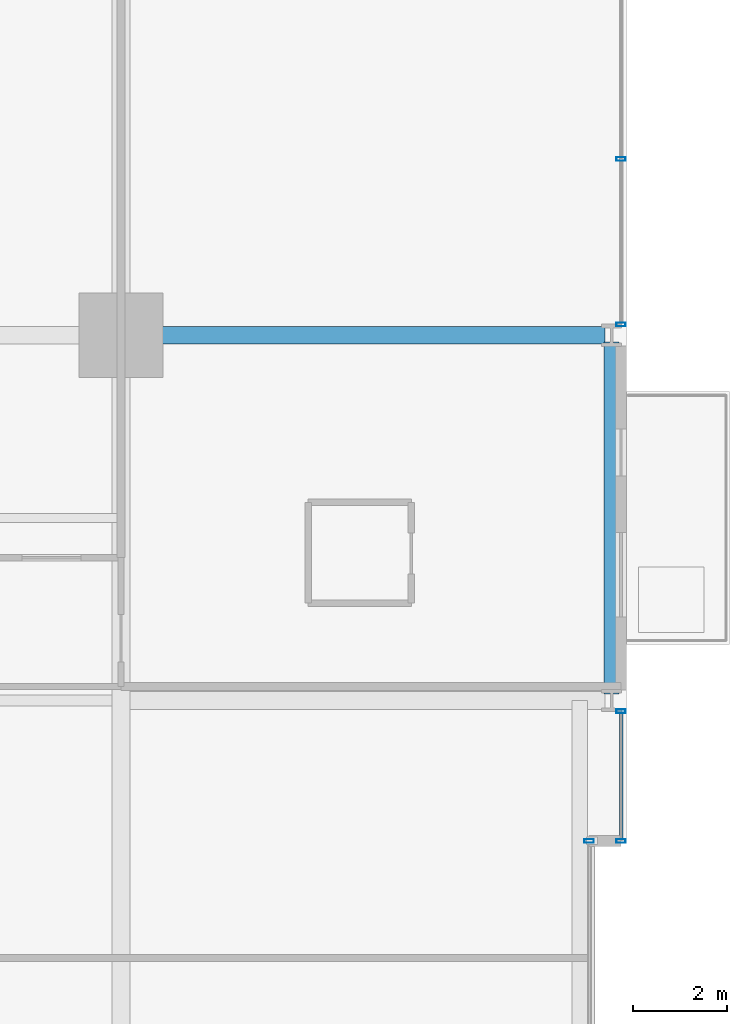
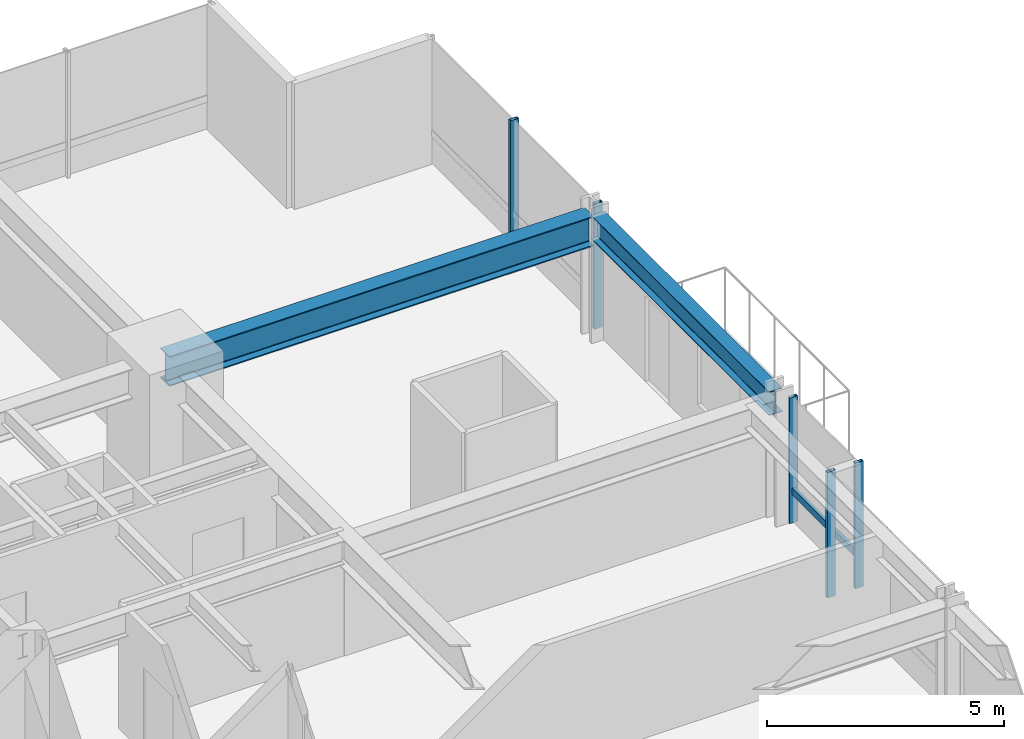
# One storey, part 25 of 38: 6 members, 2 beams, 3 elements without a shape of their own.
"""IFC4 building model written with IfcOpenShell, lengths in metres."""

from ifc_helpers import new_model, si_unit, direction, frame, origin, origin_2d, place, context, subcontext, project, spatial, hollow_rectangle, i_section, extrude, material, layer, layer_set, material_profile, profile_set, type_object, element, aggregate, save


model = new_model("IFC4")

# Units and contexts
model_context = context("Model", 3, precision=1e-05, world=origin(), true_north=direction((0.0, 1.0)))
body_context = subcontext(model_context, "Body", "Model", "MODEL_VIEW")
ifc_project = project(units=[si_unit("LENGTHUNIT", "METRE"), si_unit("AREAUNIT", "SQUARE_METRE"), si_unit("VOLUMEUNIT", "CUBIC_METRE"), si_unit("PLANEANGLEUNIT", "RADIAN"), si_unit("MASSUNIT", "GRAM", prefix="KILO")], contexts=[model_context])

# Site, building, storey
site_placement = place(None, origin())
site = spatial("IfcSite", under=ifc_project, at=site_placement, CompositionType="ELEMENT")
building_placement = place(site_placement, origin())
building = spatial("IfcBuilding", under=site, at=building_placement, Name="Drelvath Grand Hotel", CompositionType="ELEMENT")
storey_placement = place(building_placement, frame((0.0, 0.0, 71.699951171875)))
storey = spatial("IfcBuildingStorey", under=building, at=storey_placement, Name="L17", CompositionType="ELEMENT", Elevation=71.699951171875)

# Curtain wall, members
ifc_material_1 = material(Name="Warm Bronze Anodised Aluminium Frame", Category="aluminium")
ifc_layer = layer(ifc_material_1, 0.199951171875)
ifc_layer_set = layer_set([ifc_layer], Name="Warm Bronze Anodised Aluminium Frame")
curtain_wall_type = type_object("IfcCurtainWallType", Name="Stick Curtain Wall CW-02 Warm Bronze Low-Rise", PredefinedType="NOTDEFINED", material=ifc_layer_set)
curtain_wall_1_placement = place(storey_placement, origin())
curtain_wall_1 = element("IfcCurtainWall", 1, at=curtain_wall_1_placement, inside=storey, type_object=curtain_wall_type, Name="L17 CW-02 Curtain Wall CW02-L17-EN1", PredefinedType="NOTDEFINED")
ifc_material_profile_1 = material_profile(ifc_material_1, hollow_rectangle(XDim=0.074951171875, YDim=0.179931640625, WallThickness=0.0048828125, at=origin_2d()), Name="HSS180X75X5")
ifc_profile_set_1 = profile_set([ifc_material_profile_1], Name="Warm Bronze Anodised Aluminium Frame")
member_type_1 = type_object("IfcMemberType", Name="Curtain Wall Horizontal Transom CW-02 HSS180X75X5", PredefinedType="USERDEFINED", material=ifc_profile_set_1)
member_1_placement = place(storey_placement, frame((26.8798828125, 35.130859375, 0.81005859375), z_axis=(0.0, -1.0, 0.0), x_axis=(1.0, 0.0, 0.0)))
member_1 = element("IfcMember", 2, at=member_1_placement, type_object=member_type_1, Name="CW02-L17-EN1 Sill Transom", ObjectType="TRANSOM", PredefinedType="USERDEFINED", context=body_context, shape_type="SweptSolid", body=[
    extrude(hollow_rectangle(XDim=0.074951171875, YDim=0.179931640625, WallThickness=0.0048828125, at=origin_2d()), origin(), (0.0, 0.0, 1.0), 2.69091796875),
])
ifc_material_profile_2 = material_profile(ifc_material_1, hollow_rectangle(XDim=0.080078125, YDim=0.199951171875, WallThickness=0.0048828125, at=origin_2d()), Name="HSS200X80X5")
ifc_profile_set_2 = profile_set([ifc_material_profile_2], Name="Warm Bronze Anodised Aluminium Frame")
member_type_2 = type_object("IfcMemberType", Name="Curtain Wall Vertical Mullion CW-02 HSS200X80X5", PredefinedType="MULLION", material=ifc_profile_set_2)
member_2_placement = place(storey_placement, frame((26.8798828125, 35.1708984375, 0.0), z_axis=(0.0, 0.0, 1.0), x_axis=(0.0, 1.0, 0.0)))
member_2 = element("IfcMember", 3, at=member_2_placement, type_object=member_type_2, Name="CW02-L17-EN1 Mullion 1", PredefinedType="MULLION", context=body_context, shape_type="SweptSolid", body=[
    extrude(hollow_rectangle(XDim=0.080078125, YDim=0.199951171875, WallThickness=0.0048828125, at=origin_2d()), origin(), (0.0, 0.0, 1.0), 3.239990234375),
])
member_3_placement = place(storey_placement, frame((26.8798828125, 32.39990234375, 0.0), z_axis=(0.0, 0.0, 1.0), x_axis=(0.0, 1.0, 0.0)))
member_3 = element("IfcMember", 4, at=member_3_placement, type_object=member_type_2, Name="CW02-L17-EN1 Mullion 2", PredefinedType="MULLION", context=body_context, shape_type="SweptSolid", body=[
    extrude(hollow_rectangle(XDim=0.080078125, YDim=0.199951171875, WallThickness=0.0048828125, at=origin_2d()), origin(), (0.0, 0.0, 1.0), 3.239990234375),
])
aggregate(curtain_wall_1, [member_2, member_3, member_1])

curtain_wall_2_placement = place(storey_placement, origin())
curtain_wall_2 = element("IfcCurtainWall", 5, at=curtain_wall_2_placement, inside=storey, type_object=curtain_wall_type, Name="L17 CW-02 Curtain Wall CW02-L17-EN3", PredefinedType="NOTDEFINED")
member_4_placement = place(storey_placement, frame((26.8798828125, 46.964599609375, 0.0), z_axis=(0.0, 0.0, 1.0), x_axis=(0.0, 1.0, 0.0)))
member_4 = element("IfcMember", 6, at=member_4_placement, type_object=member_type_2, Name="CW02-L17-EN3 Mullion 2", PredefinedType="MULLION", context=body_context, shape_type="SweptSolid", body=[
    extrude(hollow_rectangle(XDim=0.080078125, YDim=0.199951171875, WallThickness=0.0048828125, at=origin_2d()), origin(), (0.0, 0.0, 1.0), 3.239990234375),
])
member_5_placement = place(storey_placement, frame((26.8798828125, 43.42919921875, 0.0), z_axis=(0.0, 0.0, 1.0), x_axis=(0.0, 1.0, 0.0)))
member_5 = element("IfcMember", 7, at=member_5_placement, type_object=member_type_2, Name="CW02-L17-EN3 Mullion 3", PredefinedType="MULLION", context=body_context, shape_type="SweptSolid", body=[
    extrude(hollow_rectangle(XDim=0.080078125, YDim=0.199951171875, WallThickness=0.0048828125, at=origin_2d()), origin(), (0.0, 0.0, 1.0), 3.239990234375),
])
aggregate(curtain_wall_2, [member_4, member_5])

# Curtain wall, member
curtain_wall_3_placement = place(storey_placement, origin())
curtain_wall_3 = element("IfcCurtainWall", 8, at=curtain_wall_3_placement, inside=storey, type_object=curtain_wall_type, Name="L17 CW-02 Curtain Wall CW02-L17-EM2", PredefinedType="NOTDEFINED")
member_6_placement = place(storey_placement, frame((26.199951171875, 32.39990234375, 0.0), z_axis=(0.0, 0.0, 1.0), x_axis=(0.0, 1.0, 0.0)))
member_6 = element("IfcMember", 9, at=member_6_placement, type_object=member_type_2, Name="CW02-L17-EM2 Mullion 1", PredefinedType="MULLION", context=body_context, shape_type="SweptSolid", body=[
    extrude(hollow_rectangle(XDim=0.080078125, YDim=0.199951171875, WallThickness=0.0048828125, at=origin_2d()), origin(), (0.0, 0.0, 1.0), 3.239990234375),
])
aggregate(curtain_wall_3, [member_6])

# Beams
ifc_material_2 = material(Name="Steel ASTM A992 Gr 50", Category="steel")
ifc_material_profile_3 = material_profile(ifc_material_2, i_section(OverallWidth=0.323974609375, OverallDepth=0.611083984375, WebThickness=0.0126953125, FlangeThickness=0.01904296875, FilletRadius=0.02197265625, at=origin_2d()), Name="W24X104")
ifc_profile_set_3 = profile_set([ifc_material_profile_3], Name="Steel ASTM A992 Gr 50")
beam_type_1 = type_object("IfcBeamType", Name="Perimeter Spandrel Beam W24X104", PredefinedType="SPANDREL", material=ifc_profile_set_3)
beam_1_placement = place(storey_placement, frame((26.679931640625, 35.5400390625, 2.9345703125), z_axis=(0.0, 1.0, 0.0), x_axis=(-1.0, 0.0, 0.0)))
element("IfcBeam", 10, at=beam_1_placement, inside=storey, type_object=beam_type_1, Name="L17 Spandrel East N", PredefinedType="SPANDREL", context=body_context, shape_type="SweptSolid", body=[
    extrude(i_section(OverallWidth=0.323974609375, OverallDepth=0.611083984375, WebThickness=0.0126953125, FlangeThickness=0.01904296875, FilletRadius=0.02197265625, at=origin_2d()), origin(), (0.0, 0.0, 1.0), 7.52001953125),
])
ifc_material_profile_4 = material_profile(ifc_material_2, i_section(OverallWidth=0.380615234375, OverallDepth=0.773193359375, WebThickness=0.0166015625, FlangeThickness=0.027099609375, FilletRadius=0.02490234375, at=origin_2d()), Name="W30X173")
ifc_profile_set_4 = profile_set([ifc_material_profile_4], Name="Steel ASTM A992 Gr 50")
beam_type_2 = type_object("IfcBeamType", Name="Primary Floor Girder W30X173", PredefinedType="BEAM", material=ifc_profile_set_4)
beam_2_placement = place(storey_placement, frame((16.199951171875, 43.199951171875, 2.853515625), z_axis=(1.0, 0.0, 0.0), x_axis=(0.0, 1.0, 0.0)))
element("IfcBeam", 11, at=beam_2_placement, inside=storey, type_object=beam_type_2, Name="L17 East Grid Girder G", PredefinedType="BEAM", context=body_context, shape_type="SweptSolid", body=[
    extrude(i_section(OverallWidth=0.380615234375, OverallDepth=0.773193359375, WebThickness=0.0166015625, FlangeThickness=0.027099609375, FilletRadius=0.02490234375, at=origin_2d()), origin(), (0.0, 0.0, 1.0), 10.340087890625),
])

save(model, "model.ifc")
